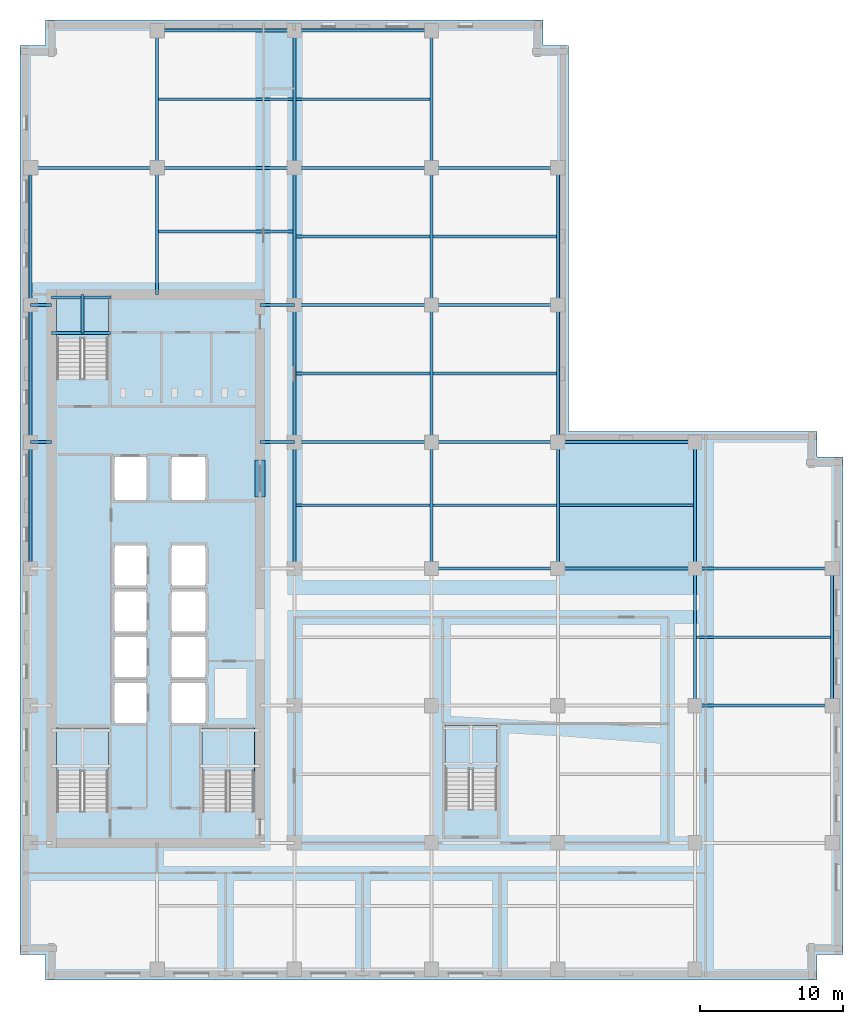
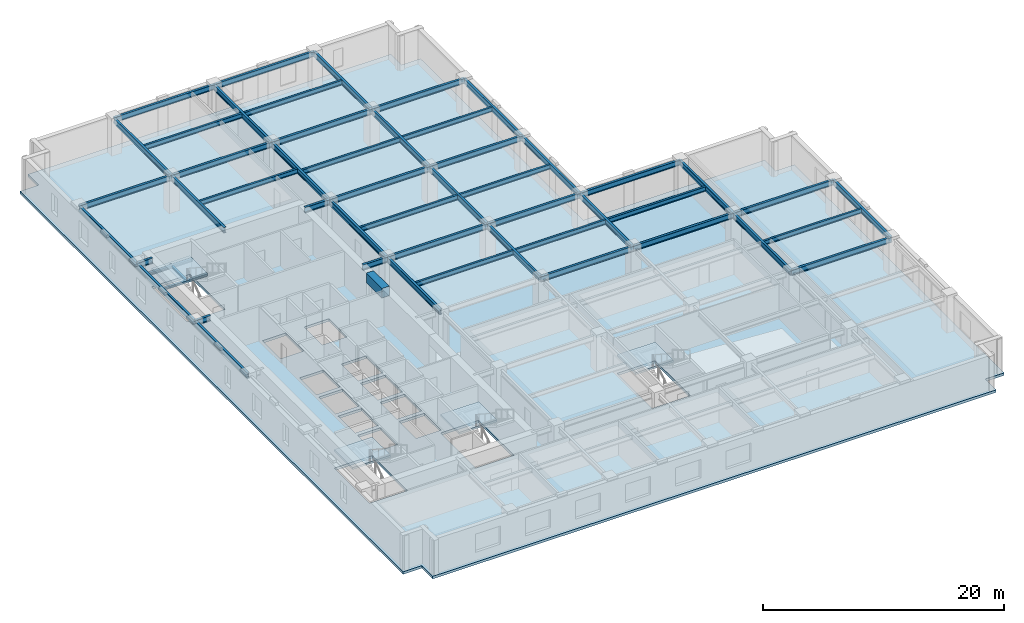
# One storey, part 2 of 11: 53 beams, 5 slabs, 4 elements without a shape of their own.
"""IFC4 building model written with IfcOpenShell, lengths in metres."""

from ifc_helpers import new_model, si_unit, direction, frame, origin, origin_2d, place, context, subcontext, project, spatial, polyline, rectangle, i_section, outline, extrude, material, layer, layer_set, material_profile, profile_set, type_object, element, aggregate, save


model = new_model("IFC4")

# Units and contexts
model_context = context("Model", 3, precision=1e-05, world=origin(), true_north=direction((0.0, 1.0)))
body_context = subcontext(model_context, "Body", "Model", "MODEL_VIEW")
ifc_project = project(units=[si_unit("LENGTHUNIT", "METRE"), si_unit("AREAUNIT", "SQUARE_METRE"), si_unit("VOLUMEUNIT", "CUBIC_METRE"), si_unit("PLANEANGLEUNIT", "RADIAN"), si_unit("MASSUNIT", "GRAM", prefix="KILO")], contexts=[model_context])

# Site, building, storey
site_placement = place(None, origin())
site = spatial("IfcSite", under=ifc_project, at=site_placement, CompositionType="ELEMENT")
building_placement = place(site_placement, origin())
building = spatial("IfcBuilding", under=site, at=building_placement, Name="Norrvale University Quadrangle", CompositionType="ELEMENT")
storey_placement = place(building_placement, frame((0.0, 0.0, 128.0)))
storey = spatial("IfcBuildingStorey", under=building, at=storey_placement, Name="L32", CompositionType="ELEMENT", Elevation=128.0)

# Beams
ifc_material_1 = material(Name="Concrete C80/95", Category="concrete")
ifc_material_profile_1 = material_profile(ifc_material_1, rectangle(XDim=0.699951171875, YDim=0.949951171875, at=origin_2d()), Name="Concrete C80/95")
ifc_profile_set_1 = profile_set([ifc_material_profile_1], Name="Concrete C80/95")
beam_type_1 = type_object("IfcBeamType", Name="Beam Core Link 700x950", PredefinedType="LINTEL", material=ifc_profile_set_1)
beam_1_placement = place(storey_placement, frame((16.800048828125, 33.800048828125, 3.06494140625), z_axis=(0.0, 1.0, 0.0), x_axis=(-1.0, 0.0, 0.0)))
element("IfcBeam", 1, at=beam_1_placement, inside=storey, type_object=beam_type_1, Name="Core Coupling Lintel Beam L32-2", PredefinedType="LINTEL", context=body_context, shape_type="SweptSolid", body=[
    extrude(rectangle(XDim=0.699951171875, YDim=0.949951171875, at=origin_2d()), origin(), (0.0, 0.0, 1.0), 2.599853515625),
])
ifc_material_2 = material(Name="Steel 350W", Category="steel")
ifc_material_profile_2 = material_profile(ifc_material_2, i_section(OverallWidth=0.18994140625, OverallDepth=0.45703125, WebThickness=0.009033203125, FlangeThickness=0.014404296875, FilletRadius=0.012939453125, at=origin_2d()), Name="Steel 350W")
ifc_profile_set_2 = profile_set([ifc_material_profile_2], Name="Steel 350W")
beam_type_2 = type_object("IfcBeamType", Name="Beam Floor W460x74", PredefinedType="JOIST", material=ifc_profile_set_2)
beam_2_placement = place(storey_placement, frame((9.7060546875, 61.64990234375, 3.3115234375), z_axis=(1.0, 0.0, 0.0), x_axis=(0.0, 1.0, 0.0)))
element("IfcBeam", 2, at=beam_2_placement, inside=storey, type_object=beam_type_2, Name="Beam Floor W460x74 BM-L32-J070", PredefinedType="JOIST", context=body_context, shape_type="SweptSolid", body=[
    extrude(i_section(OverallWidth=0.18994140625, OverallDepth=0.45703125, WebThickness=0.009033203125, FlangeThickness=0.014404296875, FilletRadius=0.012939453125, at=origin_2d()), origin(), (0.0, 0.0, 1.0), 9.387939453125),
])
for number, where, z_axis, x_axis, name in (
    (3, (19.305908203125, 33.22509765625, 3.3115234375), (1.0, 0.0, 0.0), (0.0, 1.0, 0.0), "Beam Floor W460x74 BM-L32-J074"),
    (4, (19.305908203125, 42.449951171875, 3.3115234375), (1.0, 0.0, 0.0), (0.0, 1.0, 0.0), "Beam Floor W460x74 BM-L32-J075"),
    (5, (19.305908203125, 52.050048828125, 3.3115234375), (1.0, 0.0, 0.0), (0.0, 1.0, 0.0), "Beam Floor W460x74 BM-L32-J076"),
    (6, (19.305908203125, 61.64990234375, 3.3115234375), (1.0, 0.0, 0.0), (0.0, 1.0, 0.0), "Beam Floor W460x74 BM-L32-J077"),
):
    element("IfcBeam", number, at=place(storey_placement, frame(where, z_axis=z_axis, x_axis=x_axis)), inside=storey, type_object=beam_type_2, Name=name, PredefinedType="JOIST", context=body_context, shape_type="SweptSolid", body=[
        extrude(i_section(OverallWidth=0.18994140625, OverallDepth=0.45703125, WebThickness=0.009033203125, FlangeThickness=0.014404296875, FilletRadius=0.012939453125, at=origin_2d()), origin(), (0.0, 0.0, 1.0), 9.38818359375),
    ])
for number, where, z_axis, x_axis, name in (
    (7, (28.906005859375, 33.22509765625, 3.3115234375), (1.0, 0.0, 0.0), (0.0, 1.0, 0.0), "Beam Floor W460x74 BM-L32-J080"),
    (8, (28.906005859375, 42.449951171875, 3.3115234375), (1.0, 0.0, 0.0), (0.0, 1.0, 0.0), "Beam Floor W460x74 BM-L32-J081"),
    (9, (28.906005859375, 52.050048828125, 3.3115234375), (1.0, 0.0, 0.0), (0.0, 1.0, 0.0), "Beam Floor W460x74 BM-L32-J082"),
):
    element("IfcBeam", number, at=place(storey_placement, frame(where, z_axis=z_axis, x_axis=x_axis)), inside=storey, type_object=beam_type_2, Name=name, PredefinedType="JOIST", context=body_context, shape_type="SweptSolid", body=[
        extrude(i_section(OverallWidth=0.18994140625, OverallDepth=0.45703125, WebThickness=0.009033203125, FlangeThickness=0.014404296875, FilletRadius=0.012939453125, at=origin_2d()), origin(), (0.0, 0.0, 1.0), 8.637939453125),
    ])
for number, where, z_axis, x_axis, name in (
    (10, (37.756103515625, 33.22509765625, 3.3115234375), (1.0, 0.0, 0.0), (0.0, 1.0, 0.0), "Beam Floor W460x74 BM-L32-J086"),
    (11, (47.35595703125, 24.0, 3.3115234375), (1.0, 0.0, 0.0), (0.0, 1.0, 0.0), "Beam Floor W460x74 BM-L32-J088"),
    (12, (9.7060546875, 52.39990234375, 3.3115234375), (1.0, 0.0, 0.0), (0.0, 1.0, 0.0), "Beam Floor W460x74 BM-L32-JCN092"),
):
    element("IfcBeam", number, at=place(storey_placement, frame(where, z_axis=z_axis, x_axis=x_axis)), inside=storey, type_object=beam_type_2, Name=name, PredefinedType="JOIST", context=body_context, shape_type="SweptSolid", body=[
        extrude(i_section(OverallWidth=0.18994140625, OverallDepth=0.45703125, WebThickness=0.009033203125, FlangeThickness=0.014404296875, FilletRadius=0.012939453125, at=origin_2d()), origin(), (0.0, 0.0, 1.0), 9.387939453125),
    ])
ifc_material_profile_3 = material_profile(ifc_material_2, i_section(OverallWidth=0.2119140625, OverallDepth=0.5439453125, WebThickness=0.01318359375, FlangeThickness=0.021240234375, FilletRadius=0.013916015625, at=origin_2d()), Name="Steel 350W")
ifc_profile_set_3 = profile_set([ifc_material_profile_3], Name="Steel 350W")
beam_type_3 = type_object("IfcBeamType", Name="Beam Floor W530x123", PredefinedType="BEAM", material=ifc_profile_set_3)
beam_3_placement = place(storey_placement, frame((47.25, 19.199951171875, 3.26806640625), z_axis=(1.0, 0.0, 0.0), x_axis=(0.0, 1.0, 0.0)))
element("IfcBeam", 13, at=beam_3_placement, inside=storey, type_object=beam_type_3, Name="Beam Floor W530x123 BM-L32-GX012", PredefinedType="BEAM", context=body_context, shape_type="SweptSolid", body=[
    extrude(i_section(OverallWidth=0.2119140625, OverallDepth=0.5439453125, WebThickness=0.01318359375, FlangeThickness=0.021240234375, FilletRadius=0.013916015625, at=origin_2d()), origin(), (0.0, 0.0, 1.0), 9.60009765625),
])
beam_4_placement = place(storey_placement, frame((28.800048828125, 28.800048828125, 3.26806640625), z_axis=(1.0, 0.0, 0.0), x_axis=(0.0, 1.0, 0.0)))
element("IfcBeam", 14, at=beam_4_placement, inside=storey, type_object=beam_type_3, Name="Beam Floor W530x123 BM-L32-GX014", PredefinedType="BEAM", context=body_context, shape_type="SweptSolid", body=[
    extrude(i_section(OverallWidth=0.2119140625, OverallDepth=0.5439453125, WebThickness=0.01318359375, FlangeThickness=0.021240234375, FilletRadius=0.013916015625, at=origin_2d()), origin(), (0.0, 0.0, 1.0), 8.849853515625),
])
for number, where, z_axis, x_axis, name in (
    (15, (37.64990234375, 28.800048828125, 3.26806640625), (1.0, 0.0, 0.0), (0.0, 1.0, 0.0), "Beam Floor W530x123 BM-L32-GX015"),
    (16, (47.25, 28.800048828125, 3.26806640625), (1.0, 0.0, 0.0), (0.0, 1.0, 0.0), "Beam Floor W530x123 BM-L32-GX016"),
    (17, (19.199951171875, 37.64990234375, 3.26806640625), (1.0, 0.0, 0.0), (0.0, 1.0, 0.0), "Beam Floor W530x123 BM-L32-GX017"),
):
    element("IfcBeam", number, at=place(storey_placement, frame(where, z_axis=z_axis, x_axis=x_axis)), inside=storey, type_object=beam_type_3, Name=name, PredefinedType="BEAM", context=body_context, shape_type="SweptSolid", body=[
        extrude(i_section(OverallWidth=0.2119140625, OverallDepth=0.5439453125, WebThickness=0.01318359375, FlangeThickness=0.021240234375, FilletRadius=0.013916015625, at=origin_2d()), origin(), (0.0, 0.0, 1.0), 9.60009765625),
    ])
beam_5_placement = place(storey_placement, frame((28.800048828125, 37.64990234375, 3.26806640625), z_axis=(1.0, 0.0, 0.0), x_axis=(0.0, 1.0, 0.0)))
element("IfcBeam", 18, at=beam_5_placement, inside=storey, type_object=beam_type_3, Name="Beam Floor W530x123 BM-L32-GX018", PredefinedType="BEAM", context=body_context, shape_type="SweptSolid", body=[
    extrude(i_section(OverallWidth=0.2119140625, OverallDepth=0.5439453125, WebThickness=0.01318359375, FlangeThickness=0.021240234375, FilletRadius=0.013916015625, at=origin_2d()), origin(), (0.0, 0.0, 1.0), 8.849853515625),
])
for number, where, z_axis, x_axis, name in (
    (19, (37.64990234375, 37.64990234375, 3.26806640625), (1.0, 0.0, 0.0), (0.0, 1.0, 0.0), "Beam Floor W530x123 BM-L32-GX019"),
    (20, (19.199951171875, 47.25, 3.26806640625), (1.0, 0.0, 0.0), (0.0, 1.0, 0.0), "Beam Floor W530x123 BM-L32-GX020"),
):
    element("IfcBeam", number, at=place(storey_placement, frame(where, z_axis=z_axis, x_axis=x_axis)), inside=storey, type_object=beam_type_3, Name=name, PredefinedType="BEAM", context=body_context, shape_type="SweptSolid", body=[
        extrude(i_section(OverallWidth=0.2119140625, OverallDepth=0.5439453125, WebThickness=0.01318359375, FlangeThickness=0.021240234375, FilletRadius=0.013916015625, at=origin_2d()), origin(), (0.0, 0.0, 1.0), 9.60009765625),
    ])
beam_6_placement = place(storey_placement, frame((28.800048828125, 47.25, 3.26806640625), z_axis=(1.0, 0.0, 0.0), x_axis=(0.0, 1.0, 0.0)))
element("IfcBeam", 21, at=beam_6_placement, inside=storey, type_object=beam_type_3, Name="Beam Floor W530x123 BM-L32-GX021", PredefinedType="BEAM", context=body_context, shape_type="SweptSolid", body=[
    extrude(i_section(OverallWidth=0.2119140625, OverallDepth=0.5439453125, WebThickness=0.01318359375, FlangeThickness=0.021240234375, FilletRadius=0.013916015625, at=origin_2d()), origin(), (0.0, 0.0, 1.0), 8.849853515625),
])
beam_7_placement = place(storey_placement, frame((0.75, 56.85009765625, 3.26806640625), z_axis=(1.0, 0.0, 0.0), x_axis=(0.0, 1.0, 0.0)))
element("IfcBeam", 22, at=beam_7_placement, inside=storey, type_object=beam_type_3, Name="Beam Floor W530x123 BM-L32-GX022", PredefinedType="BEAM", context=body_context, shape_type="SweptSolid", body=[
    extrude(i_section(OverallWidth=0.2119140625, OverallDepth=0.5439453125, WebThickness=0.01318359375, FlangeThickness=0.021240234375, FilletRadius=0.013916015625, at=origin_2d()), origin(), (0.0, 0.0, 1.0), 8.85009765625),
])
beam_8_placement = place(storey_placement, frame((9.60009765625, 56.85009765625, 3.26806640625), z_axis=(1.0, 0.0, 0.0), x_axis=(0.0, 1.0, 0.0)))
element("IfcBeam", 23, at=beam_8_placement, inside=storey, type_object=beam_type_3, Name="Beam Floor W530x123 BM-L32-GX023", PredefinedType="BEAM", context=body_context, shape_type="SweptSolid", body=[
    extrude(i_section(OverallWidth=0.2119140625, OverallDepth=0.5439453125, WebThickness=0.01318359375, FlangeThickness=0.021240234375, FilletRadius=0.013916015625, at=origin_2d()), origin(), (0.0, 0.0, 1.0), 9.599853515625),
])
beam_9_placement = place(storey_placement, frame((19.199951171875, 56.85009765625, 3.26806640625), z_axis=(1.0, 0.0, 0.0), x_axis=(0.0, 1.0, 0.0)))
element("IfcBeam", 24, at=beam_9_placement, inside=storey, type_object=beam_type_3, Name="Beam Floor W530x123 BM-L32-GX024", PredefinedType="BEAM", context=body_context, shape_type="SweptSolid", body=[
    extrude(i_section(OverallWidth=0.2119140625, OverallDepth=0.5439453125, WebThickness=0.01318359375, FlangeThickness=0.021240234375, FilletRadius=0.013916015625, at=origin_2d()), origin(), (0.0, 0.0, 1.0), 9.60009765625),
])
beam_10_placement = place(storey_placement, frame((28.800048828125, 56.85009765625, 3.26806640625), z_axis=(1.0, 0.0, 0.0), x_axis=(0.0, 1.0, 0.0)))
element("IfcBeam", 25, at=beam_10_placement, inside=storey, type_object=beam_type_3, Name="Beam Floor W530x123 BM-L32-GX025", PredefinedType="BEAM", context=body_context, shape_type="SweptSolid", body=[
    extrude(i_section(OverallWidth=0.2119140625, OverallDepth=0.5439453125, WebThickness=0.01318359375, FlangeThickness=0.021240234375, FilletRadius=0.013916015625, at=origin_2d()), origin(), (0.0, 0.0, 1.0), 8.849853515625),
])
beam_11_placement = place(storey_placement, frame((9.60009765625, 66.449951171875, 3.26806640625), z_axis=(1.0, 0.0, 0.0), x_axis=(0.0, 1.0, 0.0)))
element("IfcBeam", 26, at=beam_11_placement, inside=storey, type_object=beam_type_3, Name="Beam Floor W530x123 BM-L32-GX026", PredefinedType="BEAM", context=body_context, shape_type="SweptSolid", body=[
    extrude(i_section(OverallWidth=0.2119140625, OverallDepth=0.5439453125, WebThickness=0.01318359375, FlangeThickness=0.021240234375, FilletRadius=0.013916015625, at=origin_2d()), origin(), (0.0, 0.0, 1.0), 9.599853515625),
])
beam_12_placement = place(storey_placement, frame((19.199951171875, 66.449951171875, 3.26806640625), z_axis=(1.0, 0.0, 0.0), x_axis=(0.0, 1.0, 0.0)))
element("IfcBeam", 27, at=beam_12_placement, inside=storey, type_object=beam_type_3, Name="Beam Floor W530x123 BM-L32-GX027", PredefinedType="BEAM", context=body_context, shape_type="SweptSolid", body=[
    extrude(i_section(OverallWidth=0.2119140625, OverallDepth=0.5439453125, WebThickness=0.01318359375, FlangeThickness=0.021240234375, FilletRadius=0.013916015625, at=origin_2d()), origin(), (0.0, 0.0, 1.0), 9.60009765625),
])
beam_13_placement = place(storey_placement, frame((0.75, 28.800048828125, 3.26806640625), z_axis=(0.0, 1.0, 0.0), x_axis=(-1.0, 0.0, 0.0)))
element("IfcBeam", 28, at=beam_13_placement, inside=storey, type_object=beam_type_3, Name="Beam Floor W530x123 BM-L32-GY030", PredefinedType="BEAM", context=body_context, shape_type="SweptSolid", body=[
    extrude(i_section(OverallWidth=0.2119140625, OverallDepth=0.5439453125, WebThickness=0.01318359375, FlangeThickness=0.021240234375, FilletRadius=0.013916015625, at=origin_2d()), origin(), (0.0, 0.0, 1.0), 8.849853515625),
])
for number, where, z_axis, x_axis, name in (
    (29, (0.75, 37.64990234375, 3.26806640625), (0.0, 1.0, 0.0), (-1.0, 0.0, 0.0), "Beam Floor W530x123 BM-L32-GY031"),
    (30, (0.75, 47.25, 3.26806640625), (0.0, 1.0, 0.0), (-1.0, 0.0, 0.0), "Beam Floor W530x123 BM-L32-GY032"),
):
    element("IfcBeam", number, at=place(storey_placement, frame(where, z_axis=z_axis, x_axis=x_axis)), inside=storey, type_object=beam_type_3, Name=name, PredefinedType="BEAM", context=body_context, shape_type="SweptSolid", body=[
        extrude(i_section(OverallWidth=0.2119140625, OverallDepth=0.5439453125, WebThickness=0.01318359375, FlangeThickness=0.021240234375, FilletRadius=0.013916015625, at=origin_2d()), origin(), (0.0, 0.0, 1.0), 9.60009765625),
    ])
beam_14_placement = place(storey_placement, frame((9.60009765625, 56.85009765625, 3.26806640625), z_axis=(0.0, 1.0, 0.0), x_axis=(-1.0, 0.0, 0.0)))
element("IfcBeam", 31, at=beam_14_placement, inside=storey, type_object=beam_type_3, Name="Beam Floor W530x123 BM-L32-GY033", PredefinedType="BEAM", context=body_context, shape_type="SweptSolid", body=[
    extrude(i_section(OverallWidth=0.2119140625, OverallDepth=0.5439453125, WebThickness=0.01318359375, FlangeThickness=0.021240234375, FilletRadius=0.013916015625, at=origin_2d()), origin(), (0.0, 0.0, 1.0), 9.599853515625),
])
beam_15_placement = place(storey_placement, frame((19.199951171875, 28.800048828125, 3.26806640625), z_axis=(0.0, 1.0, 0.0), x_axis=(-1.0, 0.0, 0.0)))
element("IfcBeam", 32, at=beam_15_placement, inside=storey, type_object=beam_type_3, Name="Beam Floor W530x123 BM-L32-GY037", PredefinedType="BEAM", context=body_context, shape_type="SweptSolid", body=[
    extrude(i_section(OverallWidth=0.2119140625, OverallDepth=0.5439453125, WebThickness=0.01318359375, FlangeThickness=0.021240234375, FilletRadius=0.013916015625, at=origin_2d()), origin(), (0.0, 0.0, 1.0), 8.849853515625),
])
for number, where, z_axis, x_axis, name in (
    (33, (19.199951171875, 37.64990234375, 3.26806640625), (0.0, 1.0, 0.0), (-1.0, 0.0, 0.0), "Beam Floor W530x123 BM-L32-GY038"),
    (34, (19.199951171875, 47.25, 3.26806640625), (0.0, 1.0, 0.0), (-1.0, 0.0, 0.0), "Beam Floor W530x123 BM-L32-GY039"),
):
    element("IfcBeam", number, at=place(storey_placement, frame(where, z_axis=z_axis, x_axis=x_axis)), inside=storey, type_object=beam_type_3, Name=name, PredefinedType="BEAM", context=body_context, shape_type="SweptSolid", body=[
        extrude(i_section(OverallWidth=0.2119140625, OverallDepth=0.5439453125, WebThickness=0.01318359375, FlangeThickness=0.021240234375, FilletRadius=0.013916015625, at=origin_2d()), origin(), (0.0, 0.0, 1.0), 9.60009765625),
    ])
beam_16_placement = place(storey_placement, frame((19.199951171875, 56.85009765625, 3.26806640625), z_axis=(0.0, 1.0, 0.0), x_axis=(-1.0, 0.0, 0.0)))
element("IfcBeam", 35, at=beam_16_placement, inside=storey, type_object=beam_type_3, Name="Beam Floor W530x123 BM-L32-GY040", PredefinedType="BEAM", context=body_context, shape_type="SweptSolid", body=[
    extrude(i_section(OverallWidth=0.2119140625, OverallDepth=0.5439453125, WebThickness=0.01318359375, FlangeThickness=0.021240234375, FilletRadius=0.013916015625, at=origin_2d()), origin(), (0.0, 0.0, 1.0), 9.599853515625),
])
beam_17_placement = place(storey_placement, frame((28.800048828125, 28.800048828125, 3.26806640625), z_axis=(0.0, 1.0, 0.0), x_axis=(-1.0, 0.0, 0.0)))
element("IfcBeam", 36, at=beam_17_placement, inside=storey, type_object=beam_type_3, Name="Beam Floor W530x123 BM-L32-GY044", PredefinedType="BEAM", context=body_context, shape_type="SweptSolid", body=[
    extrude(i_section(OverallWidth=0.2119140625, OverallDepth=0.5439453125, WebThickness=0.01318359375, FlangeThickness=0.021240234375, FilletRadius=0.013916015625, at=origin_2d()), origin(), (0.0, 0.0, 1.0), 8.849853515625),
])
for number, where, z_axis, x_axis, name in (
    (37, (28.800048828125, 37.64990234375, 3.26806640625), (0.0, 1.0, 0.0), (-1.0, 0.0, 0.0), "Beam Floor W530x123 BM-L32-GY045"),
    (38, (28.800048828125, 47.25, 3.26806640625), (0.0, 1.0, 0.0), (-1.0, 0.0, 0.0), "Beam Floor W530x123 BM-L32-GY046"),
):
    element("IfcBeam", number, at=place(storey_placement, frame(where, z_axis=z_axis, x_axis=x_axis)), inside=storey, type_object=beam_type_3, Name=name, PredefinedType="BEAM", context=body_context, shape_type="SweptSolid", body=[
        extrude(i_section(OverallWidth=0.2119140625, OverallDepth=0.5439453125, WebThickness=0.01318359375, FlangeThickness=0.021240234375, FilletRadius=0.013916015625, at=origin_2d()), origin(), (0.0, 0.0, 1.0), 9.60009765625),
    ])
beam_18_placement = place(storey_placement, frame((28.800048828125, 56.85009765625, 3.26806640625), z_axis=(0.0, 1.0, 0.0), x_axis=(-1.0, 0.0, 0.0)))
element("IfcBeam", 39, at=beam_18_placement, inside=storey, type_object=beam_type_3, Name="Beam Floor W530x123 BM-L32-GY047", PredefinedType="BEAM", context=body_context, shape_type="SweptSolid", body=[
    extrude(i_section(OverallWidth=0.2119140625, OverallDepth=0.5439453125, WebThickness=0.01318359375, FlangeThickness=0.021240234375, FilletRadius=0.013916015625, at=origin_2d()), origin(), (0.0, 0.0, 1.0), 9.599853515625),
])
beam_19_placement = place(storey_placement, frame((37.64990234375, 28.800048828125, 3.26806640625), z_axis=(0.0, 1.0, 0.0), x_axis=(-1.0, 0.0, 0.0)))
element("IfcBeam", 40, at=beam_19_placement, inside=storey, type_object=beam_type_3, Name="Beam Floor W530x123 BM-L32-GY051", PredefinedType="BEAM", context=body_context, shape_type="SweptSolid", body=[
    extrude(i_section(OverallWidth=0.2119140625, OverallDepth=0.5439453125, WebThickness=0.01318359375, FlangeThickness=0.021240234375, FilletRadius=0.013916015625, at=origin_2d()), origin(), (0.0, 0.0, 1.0), 8.849853515625),
])
for number, where, z_axis, x_axis, name in (
    (41, (37.64990234375, 37.64990234375, 3.26806640625), (0.0, 1.0, 0.0), (-1.0, 0.0, 0.0), "Beam Floor W530x123 BM-L32-GY052"),
    (42, (37.64990234375, 47.25, 3.26806640625), (0.0, 1.0, 0.0), (-1.0, 0.0, 0.0), "Beam Floor W530x123 BM-L32-GY053"),
    (43, (47.25, 19.199951171875, 3.26806640625), (0.0, 1.0, 0.0), (-1.0, 0.0, 0.0), "Beam Floor W530x123 BM-L32-GY056"),
):
    element("IfcBeam", number, at=place(storey_placement, frame(where, z_axis=z_axis, x_axis=x_axis)), inside=storey, type_object=beam_type_3, Name=name, PredefinedType="BEAM", context=body_context, shape_type="SweptSolid", body=[
        extrude(i_section(OverallWidth=0.2119140625, OverallDepth=0.5439453125, WebThickness=0.01318359375, FlangeThickness=0.021240234375, FilletRadius=0.013916015625, at=origin_2d()), origin(), (0.0, 0.0, 1.0), 9.60009765625),
    ])
beam_20_placement = place(storey_placement, frame((47.25, 28.800048828125, 3.26806640625), z_axis=(0.0, 1.0, 0.0), x_axis=(-1.0, 0.0, 0.0)))
element("IfcBeam", 44, at=beam_20_placement, inside=storey, type_object=beam_type_3, Name="Beam Floor W530x123 BM-L32-GY057", PredefinedType="BEAM", context=body_context, shape_type="SweptSolid", body=[
    extrude(i_section(OverallWidth=0.2119140625, OverallDepth=0.5439453125, WebThickness=0.01318359375, FlangeThickness=0.021240234375, FilletRadius=0.013916015625, at=origin_2d()), origin(), (0.0, 0.0, 1.0), 8.849853515625),
])
beam_21_placement = place(storey_placement, frame((56.85009765625, 19.199951171875, 3.26806640625), z_axis=(0.0, 1.0, 0.0), x_axis=(-1.0, 0.0, 0.0)))
element("IfcBeam", 45, at=beam_21_placement, inside=storey, type_object=beam_type_3, Name="Beam Floor W530x123 BM-L32-GY059", PredefinedType="BEAM", context=body_context, shape_type="SweptSolid", body=[
    extrude(i_section(OverallWidth=0.2119140625, OverallDepth=0.5439453125, WebThickness=0.01318359375, FlangeThickness=0.021240234375, FilletRadius=0.013916015625, at=origin_2d()), origin(), (0.0, 0.0, 1.0), 9.60009765625),
])
beam_22_placement = place(storey_placement, frame((0.75, 37.64990234375, 3.26806640625), z_axis=(1.0, 0.0, 0.0), x_axis=(0.0, 1.0, 0.0)))
element("IfcBeam", 46, at=beam_22_placement, inside=storey, type_object=beam_type_3, Name="Beam Floor W530x123 BM-L32-GCW066", PredefinedType="BEAM", context=body_context, shape_type="SweptSolid", body=[
    extrude(i_section(OverallWidth=0.2119140625, OverallDepth=0.5439453125, WebThickness=0.01318359375, FlangeThickness=0.021240234375, FilletRadius=0.013916015625, at=origin_2d()), origin(), (0.0, 0.0, 1.0), 1.449951171875),
])
beam_23_placement = place(storey_placement, frame((16.800048828125, 37.64990234375, 3.26806640625), z_axis=(1.0, 0.0, 0.0), x_axis=(0.0, 1.0, 0.0)))
element("IfcBeam", 47, at=beam_23_placement, inside=storey, type_object=beam_type_3, Name="Beam Floor W530x123 BM-L32-GCE067", PredefinedType="BEAM", context=body_context, shape_type="SweptSolid", body=[
    extrude(i_section(OverallWidth=0.2119140625, OverallDepth=0.5439453125, WebThickness=0.01318359375, FlangeThickness=0.021240234375, FilletRadius=0.013916015625, at=origin_2d()), origin(), (0.0, 0.0, 1.0), 2.39990234375),
])
beam_24_placement = place(storey_placement, frame((0.75, 47.25, 3.26806640625), z_axis=(1.0, 0.0, 0.0), x_axis=(0.0, 1.0, 0.0)))
element("IfcBeam", 48, at=beam_24_placement, inside=storey, type_object=beam_type_3, Name="Beam Floor W530x123 BM-L32-GCW068", PredefinedType="BEAM", context=body_context, shape_type="SweptSolid", body=[
    extrude(i_section(OverallWidth=0.2119140625, OverallDepth=0.5439453125, WebThickness=0.01318359375, FlangeThickness=0.021240234375, FilletRadius=0.013916015625, at=origin_2d()), origin(), (0.0, 0.0, 1.0), 1.449951171875),
])
beam_25_placement = place(storey_placement, frame((16.800048828125, 47.25, 3.26806640625), z_axis=(1.0, 0.0, 0.0), x_axis=(0.0, 1.0, 0.0)))
element("IfcBeam", 49, at=beam_25_placement, inside=storey, type_object=beam_type_3, Name="Beam Floor W530x123 BM-L32-GCE069", PredefinedType="BEAM", context=body_context, shape_type="SweptSolid", body=[
    extrude(i_section(OverallWidth=0.2119140625, OverallDepth=0.5439453125, WebThickness=0.01318359375, FlangeThickness=0.021240234375, FilletRadius=0.013916015625, at=origin_2d()), origin(), (0.0, 0.0, 1.0), 2.39990234375),
])
beam_26_placement = place(storey_placement, frame((9.60009765625, 48.0, 3.26806640625), z_axis=(0.0, 1.0, 0.0), x_axis=(-1.0, 0.0, 0.0)))
element("IfcBeam", 50, at=beam_26_placement, inside=storey, type_object=beam_type_3, Name="Beam Floor W530x123 BM-L32-GCN091", PredefinedType="BEAM", context=body_context, shape_type="SweptSolid", body=[
    extrude(i_section(OverallWidth=0.2119140625, OverallDepth=0.5439453125, WebThickness=0.01318359375, FlangeThickness=0.021240234375, FilletRadius=0.013916015625, at=origin_2d()), origin(), (0.0, 0.0, 1.0), 8.85009765625),
])
ifc_material_profile_4 = material_profile(ifc_material_2, i_section(OverallWidth=0.201904296875, OverallDepth=0.2470703125, WebThickness=0.00732421875, FlangeThickness=0.010986328125, FilletRadius=0.011962890625, at=origin_2d()), Name="Steel 350W")
ifc_profile_set_4 = profile_set([ifc_material_profile_4], Name="Steel 350W")
beam_type_4 = type_object("IfcBeamType", Name="Beam Stair W250x49", PredefinedType="BEAM", material=ifc_profile_set_4)
for number, where, z_axis, x_axis, name in (
    (51, (2.199951171875, 45.2900390625, 1.576416015625), (1.0, 0.0, 0.0), (0.0, 1.0, 0.0), "Stair Mid-Landing Front Beam ST-02 L32"),
    (52, (2.199951171875, 47.77001953125, 1.576416015625), (1.0, 0.0, 0.0), (0.0, 1.0, 0.0), "Stair Mid-Landing Rear Beam ST-02 L32"),
):
    element("IfcBeam", number, at=place(storey_placement, frame(where, z_axis=z_axis, x_axis=x_axis)), inside=storey, type_object=beam_type_4, Name=name, PredefinedType="BEAM", context=body_context, shape_type="SweptSolid", body=[
        extrude(i_section(OverallWidth=0.201904296875, OverallDepth=0.2470703125, WebThickness=0.00732421875, FlangeThickness=0.010986328125, FilletRadius=0.011962890625, at=origin_2d()), origin(), (0.0, 0.0, 1.0), 4.14013671875),
    ])
ifc_material_profile_5 = material_profile(ifc_material_2, i_section(OverallWidth=0.202880859375, OverallDepth=0.202880859375, WebThickness=0.007080078125, FlangeThickness=0.010986328125, FilletRadius=0.010009765625, at=origin_2d()), Name="Steel 350W")
ifc_profile_set_5 = profile_set([ifc_material_profile_5], Name="Steel 350W")
beam_type_5 = type_object("IfcBeamType", Name="Beam Trim W200x46", PredefinedType="BEAM", material=ifc_profile_set_5)
beam_27_placement = place(storey_placement, frame((4.375, 45.2900390625, 1.598388671875), z_axis=(0.0, 1.0, 0.0), x_axis=(-1.0, 0.0, 0.0)))
element("IfcBeam", 53, at=beam_27_placement, inside=storey, type_object=beam_type_5, Name="Stair Mid-Landing Cross Beam ST-02 L32", PredefinedType="BEAM", context=body_context, shape_type="SweptSolid", body=[
    extrude(i_section(OverallWidth=0.202880859375, OverallDepth=0.202880859375, WebThickness=0.007080078125, FlangeThickness=0.010986328125, FilletRadius=0.010009765625, at=origin_2d()), origin(), (0.0, 0.0, 1.0), 2.7099609375),
])

# Stair, slab
ifc_material_3 = material(Name="Concrete C40/50", Category="concrete")
stair_type = type_object("IfcStairType", Name="Stair Tower Typ 3800", PredefinedType="TWO_STRAIGHT_RUN_STAIR", material=ifc_material_3)
stair_1_placement = place(storey_placement, origin())
stair_1 = element("IfcStair", 54, at=stair_1_placement, inside=storey, type_object=stair_type, Name="Exit Stair ST-01 L32", PredefinedType="TWO_STRAIGHT_RUN_STAIR")
ifc_layer_1 = layer(ifc_material_3, 0.199951171875, Name="Concrete C40/50")
ifc_layer_set_1 = layer_set([ifc_layer_1], Name="Concrete C40/50")
slab_type_1 = type_object("IfcSlabType", Name="Slab Landing 200", PredefinedType="LANDING", material=ifc_layer_set_1)
slab_1_placement = place(storey_placement, frame((0.0, 0.0, 1.699951171875)))
slab_1 = element("IfcSlab", 55, at=slab_1_placement, type_object=slab_type_1, Name="Exit Stair ST-01 L32 Mid Landing", PredefinedType="LANDING", context=body_context, shape_type="SweptSolid", body=[
    extrude(outline(polyline([(2.550048828125, 14.590087890625), (6.199951171875, 14.590087890625), (6.199951171875, 17.64990234375), (2.550048828125, 17.64990234375), (2.550048828125, 14.590087890625)])), origin(), (0.0, 0.0, 1.0), 0.199951171875),
])
aggregate(stair_1, [slab_1])

stair_2_placement = place(storey_placement, origin())
stair_2 = element("IfcStair", 56, at=stair_2_placement, inside=storey, type_object=stair_type, Name="Exit Stair ST-02 L32", PredefinedType="TWO_STRAIGHT_RUN_STAIR")
slab_2_placement = place(storey_placement, frame((0.0, 0.0, 1.699951171875)))
slab_2 = element("IfcSlab", 57, at=slab_2_placement, type_object=slab_type_1, Name="Exit Stair ST-02 L32 Mid Landing", PredefinedType="LANDING", context=body_context, shape_type="SweptSolid", body=[
    extrude(outline(polyline([(2.550048828125, 44.889892578125), (6.199951171875, 44.889892578125), (6.199951171875, 47.949951171875), (2.550048828125, 47.949951171875), (2.550048828125, 44.889892578125)])), origin(), (0.0, 0.0, 1.0), 0.199951171875),
])
aggregate(stair_2, [slab_2])

stair_3_placement = place(storey_placement, origin())
stair_3 = element("IfcStair", 58, at=stair_3_placement, inside=storey, type_object=stair_type, Name="Exit Stair ST-03 L32", PredefinedType="TWO_STRAIGHT_RUN_STAIR")
slab_3_placement = place(storey_placement, frame((0.0, 0.0, 1.699951171875)))
slab_3 = element("IfcSlab", 59, at=slab_3_placement, type_object=slab_type_1, Name="Exit Stair ST-03 L32 Mid Landing", PredefinedType="LANDING", context=body_context, shape_type="SweptSolid", body=[
    extrude(outline(polyline([(12.75, 14.590087890625), (16.39990234375, 14.590087890625), (16.39990234375, 17.64990234375), (12.75, 17.64990234375), (12.75, 14.590087890625)])), origin(), (0.0, 0.0, 1.0), 0.199951171875),
])
aggregate(stair_3, [slab_3])

stair_4_placement = place(storey_placement, origin())
stair_4 = element("IfcStair", 60, at=stair_4_placement, inside=storey, type_object=stair_type, Name="Exit Stair ST-04 L32", PredefinedType="TWO_STRAIGHT_RUN_STAIR")
slab_4_placement = place(storey_placement, frame((0.0, 0.0, 1.699951171875)))
slab_4 = element("IfcSlab", 61, at=slab_4_placement, type_object=slab_type_1, Name="Exit Stair ST-04 L32 Mid Landing", PredefinedType="LANDING", context=body_context, shape_type="SweptSolid", body=[
    extrude(outline(polyline([(29.75, 14.739990234375), (33.39990234375, 14.739990234375), (33.39990234375, 17.800048828125), (29.75, 17.800048828125), (29.75, 14.739990234375)])), origin(), (0.0, 0.0, 1.0), 0.199951171875),
])
aggregate(stair_4, [slab_4])

# Slab
ifc_layer_2 = layer(ifc_material_3, 0.260009765625, Name="Concrete C40/50")
ifc_layer_set_2 = layer_set([ifc_layer_2], Name="Concrete C40/50")
slab_type_2 = type_object("IfcSlabType", Name="Slab Tower Typ 260", PredefinedType="FLOOR", material=ifc_layer_set_2)
slab_5_placement = place(storey_placement, frame((0.0, 0.0, -0.260009765625)))
element("IfcSlab", 62, at=slab_5_placement, inside=storey, type_object=slab_type_2, Name="Tower L32 Floor Slab", PredefinedType="FLOOR", context=body_context, shape_type="SweptSolid", body=[
    extrude(outline(polyline([(1.800048828125, 0.0), (55.800048828125, 0.0), (55.800048828125, 1.800048828125), (57.60009765625, 1.800048828125), (57.60009765625, 36.60009765625), (55.800048828125, 36.60009765625), (55.800048828125, 38.39990234375), (38.39990234375, 38.39990234375), (38.39990234375, 65.39990234375), (36.60009765625, 65.39990234375), (36.60009765625, 67.199951171875), (1.800048828125, 67.199951171875), (1.800048828125, 65.39990234375), (0.0, 65.39990234375), (0.0, 1.800048828125), (1.800048828125, 1.800048828125), (1.800048828125, 0.0)]), holes=[polyline([(2.550048828125, 11.81005859375), (6.199951171875, 11.81005859375), (6.199951171875, 17.64990234375), (2.550048828125, 17.64990234375), (2.550048828125, 11.81005859375)]), polyline([(2.550048828125, 42.110107421875), (6.199951171875, 42.110107421875), (6.199951171875, 47.949951171875), (2.550048828125, 47.949951171875), (2.550048828125, 42.110107421875)]), polyline([(12.75, 11.81005859375), (16.39990234375, 11.81005859375), (16.39990234375, 17.64990234375), (12.75, 17.64990234375), (12.75, 11.81005859375)]), polyline([(29.75, 11.9599609375), (33.39990234375, 11.9599609375), (33.39990234375, 17.800048828125), (29.75, 17.800048828125), (29.75, 11.9599609375)]), polyline([(6.60009765625, 18.0), (8.85009765625, 18.0), (8.85009765625, 20.800048828125), (6.60009765625, 20.800048828125), (6.60009765625, 18.0)]), polyline([(6.60009765625, 21.199951171875), (8.85009765625, 21.199951171875), (8.85009765625, 24.0), (6.60009765625, 24.0), (6.60009765625, 21.199951171875)]), polyline([(6.60009765625, 24.39990234375), (8.85009765625, 24.39990234375), (8.85009765625, 27.199951171875), (6.60009765625, 27.199951171875), (6.60009765625, 24.39990234375)]), polyline([(6.60009765625, 27.60009765625), (8.85009765625, 27.60009765625), (8.85009765625, 30.39990234375), (6.60009765625, 30.39990234375), (6.60009765625, 27.60009765625)]), polyline([(10.60009765625, 18.0), (13.0, 18.0), (13.0, 20.800048828125), (10.60009765625, 20.800048828125), (10.60009765625, 18.0)]), polyline([(10.60009765625, 21.199951171875), (13.0, 21.199951171875), (13.0, 24.0), (10.60009765625, 24.0), (10.60009765625, 21.199951171875)]), polyline([(10.60009765625, 24.39990234375), (13.0, 24.39990234375), (13.0, 27.199951171875), (10.60009765625, 27.199951171875), (10.60009765625, 24.39990234375)]), polyline([(10.60009765625, 27.60009765625), (13.0, 27.60009765625), (13.0, 30.39990234375), (10.60009765625, 30.39990234375), (10.60009765625, 27.60009765625)]), polyline([(6.60009765625, 33.60009765625), (8.85009765625, 33.60009765625), (8.85009765625, 36.60009765625), (6.60009765625, 36.60009765625), (6.60009765625, 33.60009765625)]), polyline([(10.60009765625, 33.60009765625), (13.0, 33.60009765625), (13.0, 36.60009765625), (10.60009765625, 36.60009765625), (10.60009765625, 33.60009765625)])]), origin(), (0.0, 0.0, 1.0), 0.260009765625),
])

save(model, "model.ifc")
